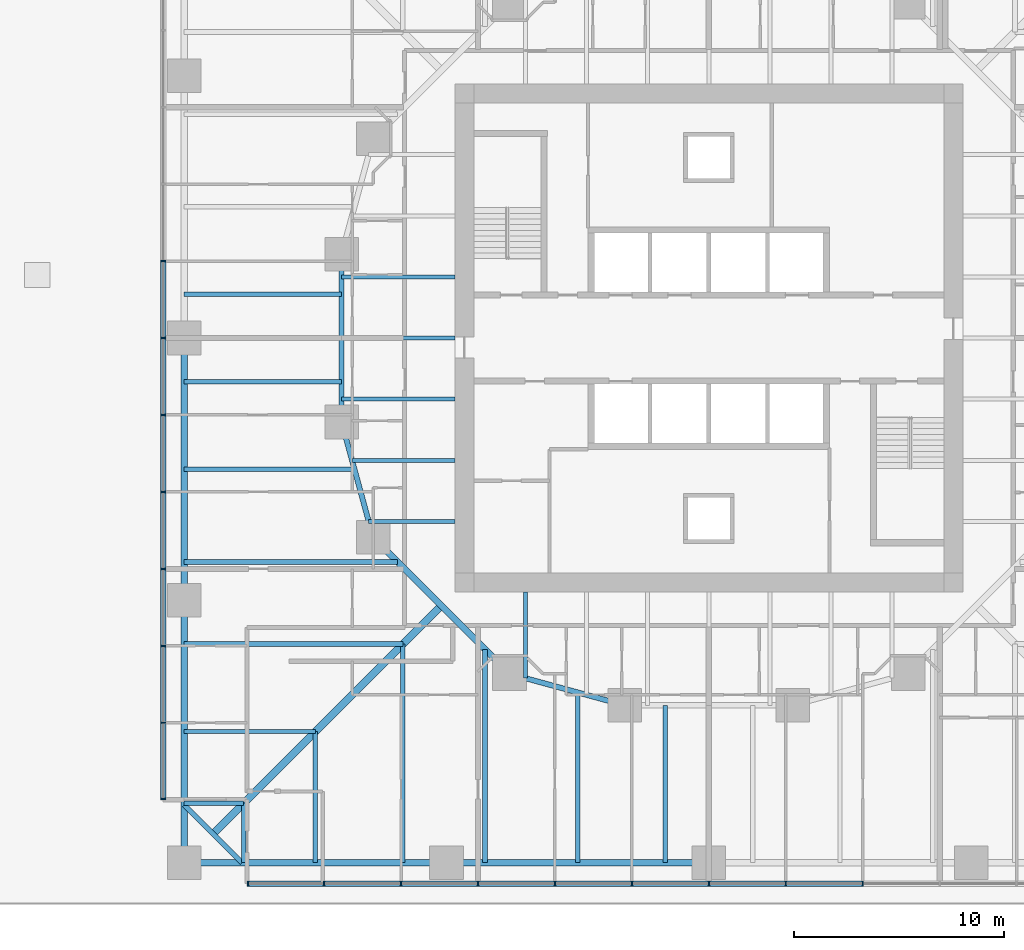
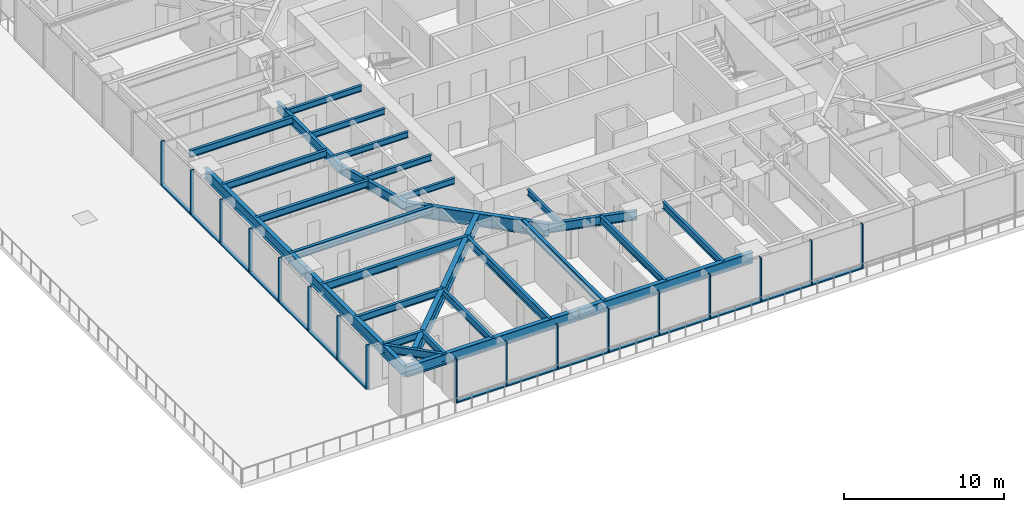
# One storey, part 2 of 15: 32 members, 29 beams, 2 elements without a shape of their own.
"""IFC4 building model written with IfcOpenShell, lengths in metres."""

from ifc_helpers import new_model, si_unit, direction, frame, origin, origin_2d, place, context, subcontext, project, spatial, rectangle, i_section, extrude, material, material_profile, profile_set, type_object, element, aggregate, save


model = new_model("IFC4")

# Units and contexts
model_context = context("Model", 3, precision=1e-05, world=origin(), true_north=direction((0.0, 1.0)))
body_context = subcontext(model_context, "Body", "Model", "MODEL_VIEW")
ifc_project = project(units=[si_unit("LENGTHUNIT", "METRE"), si_unit("AREAUNIT", "SQUARE_METRE"), si_unit("VOLUMEUNIT", "CUBIC_METRE"), si_unit("PLANEANGLEUNIT", "RADIAN"), si_unit("MASSUNIT", "GRAM", prefix="KILO")], contexts=[model_context])

# Site, building, storey
site_placement = place(None, origin())
site = spatial("IfcSite", under=ifc_project, at=site_placement, CompositionType="ELEMENT")
building_placement = place(site_placement, origin())
building = spatial("IfcBuilding", under=site, at=building_placement, Name="Torsade Residences", CompositionType="ELEMENT")
storey_placement = place(building_placement, frame((0.0, 0.0, 15.0)))
storey = spatial("IfcBuildingStorey", under=building, at=storey_placement, Name="L03", CompositionType="ELEMENT", Elevation=15.0)

# Beams
ifc_material_1 = material(Name="Steel grade 300", Category="steel")
ifc_material_profile_1 = material_profile(ifc_material_1, i_section(OverallWidth=0.35009765625, OverallDepth=0.909912109375, WebThickness=0.011962890625, FlangeThickness=0.02490234375, at=origin_2d()), Name="900WB218")
ifc_profile_set_1 = profile_set([ifc_material_profile_1], Name="Steel grade 300")
beam_type_1 = type_object("IfcBeamType", Name="CORNER GIRDER 900WB218", PredefinedType="BEAM", material=ifc_profile_set_1)
beam_1_placement = place(storey_placement, frame((16.375, 6.375, 2.794921875), z_axis=(0.707106781187, 0.707106781187, 0.0), x_axis=(-0.707106781187, 0.707106781187, 0.0)))
element("IfcBeam", 1, at=beam_1_placement, inside=storey, type_object=beam_type_1, Name="Corner girder 01 L04", PredefinedType="BEAM", context=body_context, shape_type="SweptSolid", body=[
    extrude(i_section(OverallWidth=0.35009765625, OverallDepth=0.909912109375, WebThickness=0.011962890625, FlangeThickness=0.02490234375, at=origin_2d()), origin(), (0.0, 0.0, 1.0), 15.379638671875),
])
ifc_material_2 = material(Name="Steel grade 300", Category="steel")
ifc_material_profile_2 = material_profile(ifc_material_2, i_section(OverallWidth=0.22802734375, OverallDepth=0.60205078125, WebThickness=0.010498046875, FlangeThickness=0.014892578125, FilletRadius=0.013916015625, at=origin_2d()), Name="610UB101")
ifc_profile_set_2 = profile_set([ifc_material_profile_2], Name="Steel grade 300")
beam_type_2 = type_object("IfcBeamType", Name="CORNER TRIMMER 610UB101", PredefinedType="BEAM", material=ifc_profile_set_2)
beam_2_placement = place(storey_placement, frame((17.75, 5.0, 2.948974609375), z_axis=(-0.707106781187, 0.707106781187, 0.0), x_axis=(-0.707106781187, -0.707106781187, 0.0)))
element("IfcBeam", 2, at=beam_2_placement, inside=storey, type_object=beam_type_2, Name="Corner trimmer 01 L04", PredefinedType="BEAM", context=body_context, shape_type="SweptSolid", body=[
    extrude(i_section(OverallWidth=0.22802734375, OverallDepth=0.60205078125, WebThickness=0.010498046875, FlangeThickness=0.014892578125, FilletRadius=0.013916015625, at=origin_2d()), origin(), (0.0, 0.0, 1.0), 3.88916015625),
])

# Curtain wall, members
ifc_material_3 = material(Name="Aluminium and glass", Category="aluminium")
curtain_wall_type = type_object("IfcCurtainWallType", Name="FRITTED GLASS CURTAIN WALL LOW ZONE", PredefinedType="NOTDEFINED", material=ifc_material_3)
curtain_wall_1_placement = place(storey_placement, origin())
curtain_wall_1 = element("IfcCurtainWall", 3, at=curtain_wall_1_placement, inside=storey, type_object=curtain_wall_type, Name="Curtain wall L03 face 1", PredefinedType="NOTDEFINED")
ifc_material_4 = material(Name="Aluminium mullion", Category="aluminium")
ifc_material_profile_3 = material_profile(ifc_material_4, rectangle(XDim=0.25, YDim=0.06494140625, at=origin_2d()), Name="CURTAIN WALL MULLION 250x65")
ifc_profile_set_3 = profile_set([ifc_material_profile_3], Name="Aluminium mullion")
member_type_1 = type_object("IfcMemberType", Name="CURTAIN WALL MULLION 250x65", PredefinedType="MULLION", material=ifc_profile_set_3)
member_1_placement = place(storey_placement, frame((18.032470703125, 4.0, 0.0), z_axis=(0.0, 0.0, 1.0), x_axis=(0.0, 1.0, 0.0)))
member_1 = element("IfcMember", 4, at=member_1_placement, type_object=member_type_1, Name="Mullion 1", PredefinedType="MULLION", context=body_context, shape_type="SweptSolid", body=[
    extrude(rectangle(XDim=0.25, YDim=0.06494140625, at=origin_2d()), origin(), (0.0, 0.0, 1.0), 3.39990234375),
])
member_2_placement = place(storey_placement, frame((21.666748046875, 4.0, 0.0), z_axis=(0.0, 0.0, 1.0), x_axis=(0.0, 1.0, 0.0)))
member_2 = element("IfcMember", 5, at=member_2_placement, type_object=member_type_1, Name="Mullion 2", PredefinedType="MULLION", context=body_context, shape_type="SweptSolid", body=[
    extrude(rectangle(XDim=0.25, YDim=0.06494140625, at=origin_2d()), origin(), (0.0, 0.0, 1.0), 3.39990234375),
])
member_3_placement = place(storey_placement, frame((25.333251953125, 4.0, 0.0), z_axis=(0.0, 0.0, 1.0), x_axis=(0.0, 1.0, 0.0)))
member_3 = element("IfcMember", 6, at=member_3_placement, type_object=member_type_1, Name="Mullion 3", PredefinedType="MULLION", context=body_context, shape_type="SweptSolid", body=[
    extrude(rectangle(XDim=0.25, YDim=0.06494140625, at=origin_2d()), origin(), (0.0, 0.0, 1.0), 3.39990234375),
])
member_4_placement = place(storey_placement, frame((29.0, 4.0, 0.0), z_axis=(0.0, 0.0, 1.0), x_axis=(0.0, 1.0, 0.0)))
member_4 = element("IfcMember", 7, at=member_4_placement, type_object=member_type_1, Name="Mullion 4", PredefinedType="MULLION", context=body_context, shape_type="SweptSolid", body=[
    extrude(rectangle(XDim=0.25, YDim=0.06494140625, at=origin_2d()), origin(), (0.0, 0.0, 1.0), 3.39990234375),
])
member_5_placement = place(storey_placement, frame((32.666748046875, 4.0, 0.0), z_axis=(0.0, 0.0, 1.0), x_axis=(0.0, 1.0, 0.0)))
member_5 = element("IfcMember", 8, at=member_5_placement, type_object=member_type_1, Name="Mullion 5", PredefinedType="MULLION", context=body_context, shape_type="SweptSolid", body=[
    extrude(rectangle(XDim=0.25, YDim=0.06494140625, at=origin_2d()), origin(), (0.0, 0.0, 1.0), 3.39990234375),
])
member_6_placement = place(storey_placement, frame((36.333251953125, 4.0, 0.0), z_axis=(0.0, 0.0, 1.0), x_axis=(0.0, 1.0, 0.0)))
member_6 = element("IfcMember", 9, at=member_6_placement, type_object=member_type_1, Name="Mullion 6", PredefinedType="MULLION", context=body_context, shape_type="SweptSolid", body=[
    extrude(rectangle(XDim=0.25, YDim=0.06494140625, at=origin_2d()), origin(), (0.0, 0.0, 1.0), 3.39990234375),
])
member_7_placement = place(storey_placement, frame((40.0, 4.0, 0.0), z_axis=(0.0, 0.0, 1.0), x_axis=(0.0, 1.0, 0.0)))
member_7 = element("IfcMember", 10, at=member_7_placement, type_object=member_type_1, Name="Mullion 7", PredefinedType="MULLION", context=body_context, shape_type="SweptSolid", body=[
    extrude(rectangle(XDim=0.25, YDim=0.06494140625, at=origin_2d()), origin(), (0.0, 0.0, 1.0), 3.39990234375),
])
member_8_placement = place(storey_placement, frame((43.666748046875, 4.0, 0.0), z_axis=(0.0, 0.0, 1.0), x_axis=(0.0, 1.0, 0.0)))
member_8 = element("IfcMember", 11, at=member_8_placement, type_object=member_type_1, Name="Mullion 8", PredefinedType="MULLION", context=body_context, shape_type="SweptSolid", body=[
    extrude(rectangle(XDim=0.25, YDim=0.06494140625, at=origin_2d()), origin(), (0.0, 0.0, 1.0), 3.39990234375),
])
member_9_placement = place(storey_placement, frame((47.333251953125, 4.0, 0.0), z_axis=(0.0, 0.0, 1.0), x_axis=(0.0, 1.0, 0.0)))
member_9 = element("IfcMember", 12, at=member_9_placement, type_object=member_type_1, Name="Mullion 9", PredefinedType="MULLION", context=body_context, shape_type="SweptSolid", body=[
    extrude(rectangle(XDim=0.25, YDim=0.06494140625, at=origin_2d()), origin(), (0.0, 0.0, 1.0), 3.39990234375),
])

curtain_wall_2_placement = place(storey_placement, origin())
curtain_wall_2 = element("IfcCurtainWall", 13, at=curtain_wall_2_placement, inside=storey, type_object=curtain_wall_type, Name="Curtain wall L03 face 10", PredefinedType="NOTDEFINED")
member_10_placement = place(storey_placement, frame((14.0, 33.666748046875, 0.0), z_axis=(0.0, 0.0, 1.0), x_axis=(1.0, 0.0, 0.0)))
member_10 = element("IfcMember", 14, at=member_10_placement, type_object=member_type_1, Name="Mullion 6", PredefinedType="MULLION", context=body_context, shape_type="SweptSolid", body=[
    extrude(rectangle(XDim=0.25, YDim=0.06494140625, at=origin_2d()), origin(), (0.0, 0.0, 1.0), 3.39990234375),
])
member_11_placement = place(storey_placement, frame((14.0, 30.0, 0.0), z_axis=(0.0, 0.0, 1.0), x_axis=(1.0, 0.0, 0.0)))
member_11 = element("IfcMember", 15, at=member_11_placement, type_object=member_type_1, Name="Mullion 7", PredefinedType="MULLION", context=body_context, shape_type="SweptSolid", body=[
    extrude(rectangle(XDim=0.25, YDim=0.06494140625, at=origin_2d()), origin(), (0.0, 0.0, 1.0), 3.39990234375),
])
member_12_placement = place(storey_placement, frame((14.0, 26.333251953125, 0.0), z_axis=(0.0, 0.0, 1.0), x_axis=(1.0, 0.0, 0.0)))
member_12 = element("IfcMember", 16, at=member_12_placement, type_object=member_type_1, Name="Mullion 8", PredefinedType="MULLION", context=body_context, shape_type="SweptSolid", body=[
    extrude(rectangle(XDim=0.25, YDim=0.06494140625, at=origin_2d()), origin(), (0.0, 0.0, 1.0), 3.39990234375),
])
member_13_placement = place(storey_placement, frame((14.0, 22.666748046875, 0.0), z_axis=(0.0, 0.0, 1.0), x_axis=(1.0, 0.0, 0.0)))
member_13 = element("IfcMember", 17, at=member_13_placement, type_object=member_type_1, Name="Mullion 9", PredefinedType="MULLION", context=body_context, shape_type="SweptSolid", body=[
    extrude(rectangle(XDim=0.25, YDim=0.06494140625, at=origin_2d()), origin(), (0.0, 0.0, 1.0), 3.39990234375),
])
member_14_placement = place(storey_placement, frame((14.0, 19.0, 0.0), z_axis=(0.0, 0.0, 1.0), x_axis=(1.0, 0.0, 0.0)))
member_14 = element("IfcMember", 18, at=member_14_placement, type_object=member_type_1, Name="Mullion 10", PredefinedType="MULLION", context=body_context, shape_type="SweptSolid", body=[
    extrude(rectangle(XDim=0.25, YDim=0.06494140625, at=origin_2d()), origin(), (0.0, 0.0, 1.0), 3.39990234375),
])
member_15_placement = place(storey_placement, frame((14.0, 15.333251953125, 0.0), z_axis=(0.0, 0.0, 1.0), x_axis=(1.0, 0.0, 0.0)))
member_15 = element("IfcMember", 19, at=member_15_placement, type_object=member_type_1, Name="Mullion 11", PredefinedType="MULLION", context=body_context, shape_type="SweptSolid", body=[
    extrude(rectangle(XDim=0.25, YDim=0.06494140625, at=origin_2d()), origin(), (0.0, 0.0, 1.0), 3.39990234375),
])
member_16_placement = place(storey_placement, frame((14.0, 11.666748046875, 0.0), z_axis=(0.0, 0.0, 1.0), x_axis=(1.0, 0.0, 0.0)))
member_16 = element("IfcMember", 20, at=member_16_placement, type_object=member_type_1, Name="Mullion 12", PredefinedType="MULLION", context=body_context, shape_type="SweptSolid", body=[
    extrude(rectangle(XDim=0.25, YDim=0.06494140625, at=origin_2d()), origin(), (0.0, 0.0, 1.0), 3.39990234375),
])
member_17_placement = place(storey_placement, frame((14.0, 8.032470703125, 0.0), z_axis=(0.0, 0.0, 1.0), x_axis=(1.0, 0.0, 0.0)))
member_17 = element("IfcMember", 21, at=member_17_placement, type_object=member_type_1, Name="Mullion 13", PredefinedType="MULLION", context=body_context, shape_type="SweptSolid", body=[
    extrude(rectangle(XDim=0.25, YDim=0.06494140625, at=origin_2d()), origin(), (0.0, 0.0, 1.0), 3.39990234375),
])

# Member
ifc_material_5 = material(Name="Aluminium transom", Category="aluminium")
ifc_material_profile_4 = material_profile(ifc_material_5, rectangle(XDim=0.25, YDim=0.10009765625, at=origin_2d()), Name="CURTAIN WALL TRANSOM 250x100")
ifc_profile_set_4 = profile_set([ifc_material_profile_4], Name="Aluminium transom")
member_type_2 = type_object("IfcMemberType", Name="CURTAIN WALL TRANSOM 250x100", PredefinedType="USERDEFINED", material=ifc_profile_set_4)
member_18_placement = place(storey_placement, frame((18.06494140625, 4.0, 0.050048828125), z_axis=(1.0, 0.0, 0.0), x_axis=(0.0, 1.0, 0.0)))
member_18 = element("IfcMember", 22, at=member_18_placement, type_object=member_type_2, Name="Transom 1.1", ObjectType="TRANSOM", PredefinedType="USERDEFINED", context=body_context, shape_type="SweptSolid", body=[
    extrude(rectangle(XDim=0.25, YDim=0.10009765625, at=origin_2d()), origin(), (0.0, 0.0, 1.0), 3.5693359375),
])

member_19_placement = place(storey_placement, frame((21.69921875, 4.0, 0.050048828125), z_axis=(1.0, 0.0, 0.0), x_axis=(0.0, 1.0, 0.0)))
member_19 = element("IfcMember", 23, at=member_19_placement, type_object=member_type_2, Name="Transom 2.1", ObjectType="TRANSOM", PredefinedType="USERDEFINED", context=body_context, shape_type="SweptSolid", body=[
    extrude(rectangle(XDim=0.25, YDim=0.10009765625, at=origin_2d()), origin(), (0.0, 0.0, 1.0), 3.6015625),
])

member_20_placement = place(storey_placement, frame((25.36572265625, 4.0, 0.050048828125), z_axis=(1.0, 0.0, 0.0), x_axis=(0.0, 1.0, 0.0)))
member_20 = element("IfcMember", 24, at=member_20_placement, type_object=member_type_2, Name="Transom 3.1", ObjectType="TRANSOM", PredefinedType="USERDEFINED", context=body_context, shape_type="SweptSolid", body=[
    extrude(rectangle(XDim=0.25, YDim=0.10009765625, at=origin_2d()), origin(), (0.0, 0.0, 1.0), 3.601806640625),
])

member_21_placement = place(storey_placement, frame((29.032470703125, 4.0, 0.050048828125), z_axis=(1.0, 0.0, 0.0), x_axis=(0.0, 1.0, 0.0)))
member_21 = element("IfcMember", 25, at=member_21_placement, type_object=member_type_2, Name="Transom 4.1", ObjectType="TRANSOM", PredefinedType="USERDEFINED", context=body_context, shape_type="SweptSolid", body=[
    extrude(rectangle(XDim=0.25, YDim=0.10009765625, at=origin_2d()), origin(), (0.0, 0.0, 1.0), 3.601806640625),
])

member_22_placement = place(storey_placement, frame((32.69921875, 4.0, 0.050048828125), z_axis=(1.0, 0.0, 0.0), x_axis=(0.0, 1.0, 0.0)))
member_22 = element("IfcMember", 26, at=member_22_placement, type_object=member_type_2, Name="Transom 5.1", ObjectType="TRANSOM", PredefinedType="USERDEFINED", context=body_context, shape_type="SweptSolid", body=[
    extrude(rectangle(XDim=0.25, YDim=0.10009765625, at=origin_2d()), origin(), (0.0, 0.0, 1.0), 3.6015625),
])

member_23_placement = place(storey_placement, frame((36.36572265625, 4.0, 0.050048828125), z_axis=(1.0, 0.0, 0.0), x_axis=(0.0, 1.0, 0.0)))
member_23 = element("IfcMember", 27, at=member_23_placement, type_object=member_type_2, Name="Transom 6.1", ObjectType="TRANSOM", PredefinedType="USERDEFINED", context=body_context, shape_type="SweptSolid", body=[
    extrude(rectangle(XDim=0.25, YDim=0.10009765625, at=origin_2d()), origin(), (0.0, 0.0, 1.0), 3.601806640625),
])

member_24_placement = place(storey_placement, frame((40.032470703125, 4.0, 0.050048828125), z_axis=(1.0, 0.0, 0.0), x_axis=(0.0, 1.0, 0.0)))
member_24 = element("IfcMember", 28, at=member_24_placement, type_object=member_type_2, Name="Transom 7.1", ObjectType="TRANSOM", PredefinedType="USERDEFINED", context=body_context, shape_type="SweptSolid", body=[
    extrude(rectangle(XDim=0.25, YDim=0.10009765625, at=origin_2d()), origin(), (0.0, 0.0, 1.0), 3.601806640625),
])

member_25_placement = place(storey_placement, frame((43.69921875, 4.0, 0.050048828125), z_axis=(1.0, 0.0, 0.0), x_axis=(0.0, 1.0, 0.0)))
member_25 = element("IfcMember", 29, at=member_25_placement, type_object=member_type_2, Name="Transom 8.1", ObjectType="TRANSOM", PredefinedType="USERDEFINED", context=body_context, shape_type="SweptSolid", body=[
    extrude(rectangle(XDim=0.25, YDim=0.10009765625, at=origin_2d()), origin(), (0.0, 0.0, 1.0), 3.6015625),
])

aggregate(curtain_wall_1, [member_1, member_2, member_3, member_4, member_5, member_6, member_7, member_8, member_9, member_18, member_19, member_20, member_21, member_22, member_23, member_24, member_25])

member_26_placement = place(storey_placement, frame((14.0, 33.63427734375, 0.050048828125), z_axis=(0.0, -1.0, 0.0), x_axis=(1.0, 0.0, 0.0)))
member_26 = element("IfcMember", 30, at=member_26_placement, type_object=member_type_2, Name="Transom 6.1", ObjectType="TRANSOM", PredefinedType="USERDEFINED", context=body_context, shape_type="SweptSolid", body=[
    extrude(rectangle(XDim=0.25, YDim=0.10009765625, at=origin_2d()), origin(), (0.0, 0.0, 1.0), 3.601806640625),
])

member_27_placement = place(storey_placement, frame((14.0, 29.967529296875, 0.050048828125), z_axis=(0.0, -1.0, 0.0), x_axis=(1.0, 0.0, 0.0)))
member_27 = element("IfcMember", 31, at=member_27_placement, type_object=member_type_2, Name="Transom 7.1", ObjectType="TRANSOM", PredefinedType="USERDEFINED", context=body_context, shape_type="SweptSolid", body=[
    extrude(rectangle(XDim=0.25, YDim=0.10009765625, at=origin_2d()), origin(), (0.0, 0.0, 1.0), 3.601806640625),
])

member_28_placement = place(storey_placement, frame((14.0, 26.30078125, 0.050048828125), z_axis=(0.0, -1.0, 0.0), x_axis=(1.0, 0.0, 0.0)))
member_28 = element("IfcMember", 32, at=member_28_placement, type_object=member_type_2, Name="Transom 8.1", ObjectType="TRANSOM", PredefinedType="USERDEFINED", context=body_context, shape_type="SweptSolid", body=[
    extrude(rectangle(XDim=0.25, YDim=0.10009765625, at=origin_2d()), origin(), (0.0, 0.0, 1.0), 3.6015625),
])

member_29_placement = place(storey_placement, frame((14.0, 22.63427734375, 0.050048828125), z_axis=(0.0, -1.0, 0.0), x_axis=(1.0, 0.0, 0.0)))
member_29 = element("IfcMember", 33, at=member_29_placement, type_object=member_type_2, Name="Transom 9.1", ObjectType="TRANSOM", PredefinedType="USERDEFINED", context=body_context, shape_type="SweptSolid", body=[
    extrude(rectangle(XDim=0.25, YDim=0.10009765625, at=origin_2d()), origin(), (0.0, 0.0, 1.0), 3.601806640625),
])

member_30_placement = place(storey_placement, frame((14.0, 18.967529296875, 0.050048828125), z_axis=(0.0, -1.0, 0.0), x_axis=(1.0, 0.0, 0.0)))
member_30 = element("IfcMember", 34, at=member_30_placement, type_object=member_type_2, Name="Transom 10.1", ObjectType="TRANSOM", PredefinedType="USERDEFINED", context=body_context, shape_type="SweptSolid", body=[
    extrude(rectangle(XDim=0.25, YDim=0.10009765625, at=origin_2d()), origin(), (0.0, 0.0, 1.0), 3.601806640625),
])

member_31_placement = place(storey_placement, frame((14.0, 15.30078125, 0.050048828125), z_axis=(0.0, -1.0, 0.0), x_axis=(1.0, 0.0, 0.0)))
member_31 = element("IfcMember", 35, at=member_31_placement, type_object=member_type_2, Name="Transom 11.1", ObjectType="TRANSOM", PredefinedType="USERDEFINED", context=body_context, shape_type="SweptSolid", body=[
    extrude(rectangle(XDim=0.25, YDim=0.10009765625, at=origin_2d()), origin(), (0.0, 0.0, 1.0), 3.6015625),
])

member_32_placement = place(storey_placement, frame((14.0, 11.63427734375, 0.050048828125), z_axis=(0.0, -1.0, 0.0), x_axis=(1.0, 0.0, 0.0)))
member_32 = element("IfcMember", 36, at=member_32_placement, type_object=member_type_2, Name="Transom 12.1", ObjectType="TRANSOM", PredefinedType="USERDEFINED", context=body_context, shape_type="SweptSolid", body=[
    extrude(rectangle(XDim=0.25, YDim=0.10009765625, at=origin_2d()), origin(), (0.0, 0.0, 1.0), 3.5693359375),
])

aggregate(curtain_wall_2, [member_10, member_11, member_12, member_13, member_14, member_15, member_16, member_17, member_26, member_27, member_28, member_29, member_30, member_31, member_32])

# Beams
ifc_material_6 = material(Name="Steel grade 300", Category="steel")
ifc_material_profile_5 = material_profile(ifc_material_6, i_section(OverallWidth=0.300048828125, OverallDepth=0.81591796875, WebThickness=0.010009765625, FlangeThickness=0.028076171875, at=origin_2d()), Name="800WB192")
ifc_profile_set_5 = profile_set([ifc_material_profile_5], Name="Steel grade 300")
beam_type_3 = type_object("IfcBeamType", Name="EDGE BEAM 800WB192", PredefinedType="SPANDREL", material=ifc_profile_set_5)
for number, where, z_axis, x_axis, name in (
    (37, (15.0, 5.0, 2.842041015625), (1.0, 0.0, 0.0), (0.0, 1.0, 0.0), "Edge beam 01 L04"),
    (38, (27.5, 5.0, 2.842041015625), (1.0, 0.0, 0.0), (0.0, 1.0, 0.0), "Edge beam 02 L04"),
    (39, (15.0, 30.0, 2.842041015625), (0.0, -1.0, 0.0), (1.0, 0.0, 0.0), "Edge beam 15 L04"),
    (40, (15.0, 17.5, 2.842041015625), (0.0, -1.0, 0.0), (1.0, 0.0, 0.0), "Edge beam 16 L04"),
):
    element("IfcBeam", number, at=place(storey_placement, frame(where, z_axis=z_axis, x_axis=x_axis)), inside=storey, type_object=beam_type_3, Name=name, PredefinedType="SPANDREL", context=body_context, shape_type="SweptSolid", body=[
        extrude(i_section(OverallWidth=0.300048828125, OverallDepth=0.81591796875, WebThickness=0.010009765625, FlangeThickness=0.028076171875, at=origin_2d()), origin(), (0.0, 0.0, 1.0), 12.5),
    ])
ifc_material_7 = material(Name="Steel grade 300", Category="steel")
ifc_material_profile_6 = material_profile(ifc_material_7, i_section(OverallWidth=0.18994140625, OverallDepth=0.4541015625, WebThickness=0.008544921875, FlangeThickness=0.0126953125, FilletRadius=0.011474609375, at=origin_2d()), Name="460UB67.1")
ifc_profile_set_6 = profile_set([ifc_material_profile_6], Name="Steel grade 300")
beam_type_4 = type_object("IfcBeamType", Name="INNER FLOOR BEAM 460UB67.1", PredefinedType="JOIST", material=ifc_profile_set_6)
beam_3_placement = place(storey_placement, frame((31.262451171875, 17.89990234375, 3.02294921875), z_axis=(0.0, -1.0, 0.0), x_axis=(1.0, 0.0, 0.0)))
element("IfcBeam", 41, at=beam_3_placement, inside=storey, type_object=beam_type_4, Name="Inner floor beam IS07 L04", PredefinedType="JOIST", context=body_context, shape_type="SweptSolid", body=[
    extrude(i_section(OverallWidth=0.18994140625, OverallDepth=0.4541015625, WebThickness=0.008544921875, FlangeThickness=0.0126953125, FilletRadius=0.011474609375, at=origin_2d()), origin(), (0.0, 0.0, 1.0), 4.10791015625),
])
for number, where, z_axis, x_axis, name in (
    (42, (27.89990234375, 32.91259765625, 3.02294921875), (-1.0, 0.0, 0.0), (0.0, -1.0, 0.0), "Inner floor beam IW03 L04"),
    (43, (27.89990234375, 30.0, 3.02294921875), (-1.0, 0.0, 0.0), (0.0, -1.0, 0.0), "Inner floor beam IW04 L04"),
    (44, (27.89990234375, 27.08740234375, 3.02294921875), (-1.0, 0.0, 0.0), (0.0, -1.0, 0.0), "Inner floor beam IW05 L04"),
):
    element("IfcBeam", number, at=place(storey_placement, frame(where, z_axis=z_axis, x_axis=x_axis)), inside=storey, type_object=beam_type_4, Name=name, PredefinedType="JOIST", context=body_context, shape_type="SweptSolid", body=[
        extrude(i_section(OverallWidth=0.18994140625, OverallDepth=0.4541015625, WebThickness=0.008544921875, FlangeThickness=0.0126953125, FilletRadius=0.011474609375, at=origin_2d()), origin(), (0.0, 0.0, 1.0), 5.39990234375),
    ])
beam_4_placement = place(storey_placement, frame((27.89990234375, 24.175048828125, 3.02294921875), z_axis=(-1.0, 0.0, 0.0), x_axis=(0.0, -1.0, 0.0)))
element("IfcBeam", 45, at=beam_4_placement, inside=storey, type_object=beam_type_4, Name="Inner floor beam IW06 L04", PredefinedType="JOIST", context=body_context, shape_type="SweptSolid", body=[
    extrude(i_section(OverallWidth=0.18994140625, OverallDepth=0.4541015625, WebThickness=0.008544921875, FlangeThickness=0.0126953125, FilletRadius=0.011474609375, at=origin_2d()), origin(), (0.0, 0.0, 1.0), 4.902099609375),
])
beam_5_placement = place(storey_placement, frame((27.89990234375, 21.262451171875, 3.02294921875), z_axis=(-1.0, 0.0, 0.0), x_axis=(0.0, -1.0, 0.0)))
element("IfcBeam", 46, at=beam_5_placement, inside=storey, type_object=beam_type_4, Name="Inner floor beam IW07 L04", PredefinedType="JOIST", context=body_context, shape_type="SweptSolid", body=[
    extrude(i_section(OverallWidth=0.18994140625, OverallDepth=0.4541015625, WebThickness=0.008544921875, FlangeThickness=0.0126953125, FilletRadius=0.011474609375, at=origin_2d()), origin(), (0.0, 0.0, 1.0), 4.10791015625),
])
ifc_material_8 = material(Name="Steel grade 300", Category="steel")
ifc_material_profile_7 = material_profile(ifc_material_8, i_section(OverallWidth=0.300048828125, OverallDepth=1.0, WebThickness=0.01611328125, FlangeThickness=0.028076171875, at=origin_2d()), Name="1000WB215")
ifc_profile_set_7 = profile_set([ifc_material_profile_7], Name="Steel grade 300")
beam_type_5 = type_object("IfcBeamType", Name="RING CORNER GIRDER 1000WB215", PredefinedType="BEAM", material=ifc_profile_set_7)
beam_6_placement = place(storey_placement, frame((24.0, 20.5, 2.75), z_axis=(0.707106781187, -0.707106781187, 0.0), x_axis=(0.707106781187, 0.707106781187, 0.0)))
element("IfcBeam", 47, at=beam_6_placement, inside=storey, type_object=beam_type_5, Name="Ring girder IR11 L04", PredefinedType="BEAM", context=body_context, shape_type="SweptSolid", body=[
    extrude(i_section(OverallWidth=0.300048828125, OverallDepth=1.0, WebThickness=0.01611328125, FlangeThickness=0.028076171875, at=origin_2d()), origin(), (0.0, 0.0, 1.0), 9.1923828125),
])
ifc_material_9 = material(Name="Steel grade 300", Category="steel")
ifc_material_profile_8 = material_profile(ifc_material_9, i_section(OverallWidth=0.25, OverallDepth=0.699951171875, WebThickness=0.010009765625, FlangeThickness=0.02001953125, at=origin_2d()), Name="700WB130")
ifc_profile_set_8 = profile_set([ifc_material_profile_8], Name="Steel grade 300")
beam_type_6 = type_object("IfcBeamType", Name="RING GIRDER 700WB130", PredefinedType="BEAM", material=ifc_profile_set_8)
beam_7_placement = place(storey_placement, frame((22.5, 34.0, 2.89990234375), z_axis=(0.0, -1.0, 0.0), x_axis=(1.0, 0.0, 0.0)))
element("IfcBeam", 48, at=beam_7_placement, inside=storey, type_object=beam_type_6, Name="Ring girder IR09 L04", PredefinedType="BEAM", context=body_context, shape_type="SweptSolid", body=[
    extrude(i_section(OverallWidth=0.25, OverallDepth=0.699951171875, WebThickness=0.010009765625, FlangeThickness=0.02001953125, at=origin_2d()), origin(), (0.0, 0.0, 1.0), 8.0),
])
for number, where, z_axis, x_axis, name in (
    (49, (22.5, 26.0, 2.89990234375), (0.263117405792, -0.964763821238, 0.0), (0.964763821238, 0.263117405792, 0.0), "Ring girder IR10 L04"),
    (50, (30.5, 14.0, 2.89990234375), (0.964763821238, -0.263117405792, 0.0), (0.263117405792, 0.964763821238, 0.0), "Ring girder IR12 L04"),
):
    element("IfcBeam", number, at=place(storey_placement, frame(where, z_axis=z_axis, x_axis=x_axis)), inside=storey, type_object=beam_type_6, Name=name, PredefinedType="BEAM", context=body_context, shape_type="SweptSolid", body=[
        extrude(i_section(OverallWidth=0.25, OverallDepth=0.699951171875, WebThickness=0.010009765625, FlangeThickness=0.02001953125, at=origin_2d()), origin(), (0.0, 0.0, 1.0), 5.700927734375),
    ])
ifc_material_10 = material(Name="Steel grade 300", Category="steel")
ifc_material_profile_9 = material_profile(ifc_material_10, i_section(OverallWidth=0.208984375, OverallDepth=0.528076171875, WebThickness=0.009521484375, FlangeThickness=0.01318359375, FilletRadius=0.013916015625, at=origin_2d()), Name="530UB82.0")
ifc_profile_set_9 = profile_set([ifc_material_profile_9], Name="Steel grade 300")
beam_type_7 = type_object("IfcBeamType", Name="SECONDARY BEAM 530UB82.0", PredefinedType="JOIST", material=ifc_profile_set_9)
beam_8_placement = place(storey_placement, frame((17.833251953125, 5.0, 2.986083984375), z_axis=(0.0, 1.0, 0.0), x_axis=(-1.0, 0.0, 0.0)))
element("IfcBeam", 51, at=beam_8_placement, inside=storey, type_object=beam_type_7, Name="Floor beam FS01 L04", PredefinedType="JOIST", context=body_context, shape_type="SweptSolid", body=[
    extrude(i_section(OverallWidth=0.208984375, OverallDepth=0.528076171875, WebThickness=0.009521484375, FlangeThickness=0.01318359375, FilletRadius=0.013916015625, at=origin_2d()), origin(), (0.0, 0.0, 1.0), 2.833251953125),
])
beam_9_placement = place(storey_placement, frame((21.25, 5.0, 2.986083984375), z_axis=(0.0, 1.0, 0.0), x_axis=(-1.0, 0.0, 0.0)))
element("IfcBeam", 52, at=beam_9_placement, inside=storey, type_object=beam_type_7, Name="Floor beam FS02 L04", PredefinedType="JOIST", context=body_context, shape_type="SweptSolid", body=[
    extrude(i_section(OverallWidth=0.208984375, OverallDepth=0.528076171875, WebThickness=0.009521484375, FlangeThickness=0.01318359375, FilletRadius=0.013916015625, at=origin_2d()), origin(), (0.0, 0.0, 1.0), 6.25),
])
beam_10_placement = place(storey_placement, frame((33.75, 5.0, 2.986083984375), z_axis=(0.0, 1.0, 0.0), x_axis=(-1.0, 0.0, 0.0)))
element("IfcBeam", 53, at=beam_10_placement, inside=storey, type_object=beam_type_7, Name="Floor beam FS05 L04", PredefinedType="JOIST", context=body_context, shape_type="SweptSolid", body=[
    extrude(i_section(OverallWidth=0.208984375, OverallDepth=0.528076171875, WebThickness=0.009521484375, FlangeThickness=0.01318359375, FilletRadius=0.013916015625, at=origin_2d()), origin(), (0.0, 0.0, 1.0), 8.113525390625),
])
for number, where, z_axis, x_axis, name in (
    (54, (37.916748046875, 5.0, 2.986083984375), (0.0, 1.0, 0.0), (-1.0, 0.0, 0.0), "Floor beam FS06 L04"),
    (55, (15.0, 32.083251953125, 2.986083984375), (1.0, 0.0, 0.0), (0.0, 1.0, 0.0), "Floor beam FW06 L04"),
    (56, (15.0, 27.916748046875, 2.986083984375), (1.0, 0.0, 0.0), (0.0, 1.0, 0.0), "Floor beam FW07 L04"),
):
    element("IfcBeam", number, at=place(storey_placement, frame(where, z_axis=z_axis, x_axis=x_axis)), inside=storey, type_object=beam_type_7, Name=name, PredefinedType="JOIST", context=body_context, shape_type="SweptSolid", body=[
        extrude(i_section(OverallWidth=0.208984375, OverallDepth=0.528076171875, WebThickness=0.009521484375, FlangeThickness=0.01318359375, FilletRadius=0.013916015625, at=origin_2d()), origin(), (0.0, 0.0, 1.0), 7.5),
    ])
beam_11_placement = place(storey_placement, frame((15.0, 23.75, 2.986083984375), z_axis=(1.0, 0.0, 0.0), x_axis=(0.0, 1.0, 0.0)))
element("IfcBeam", 57, at=beam_11_placement, inside=storey, type_object=beam_type_7, Name="Floor beam FW08 L04", PredefinedType="JOIST", context=body_context, shape_type="SweptSolid", body=[
    extrude(i_section(OverallWidth=0.208984375, OverallDepth=0.528076171875, WebThickness=0.009521484375, FlangeThickness=0.01318359375, FilletRadius=0.013916015625, at=origin_2d()), origin(), (0.0, 0.0, 1.0), 8.113525390625),
])
beam_12_placement = place(storey_placement, frame((15.0, 11.25, 2.986083984375), z_axis=(1.0, 0.0, 0.0), x_axis=(0.0, 1.0, 0.0)))
element("IfcBeam", 58, at=beam_12_placement, inside=storey, type_object=beam_type_7, Name="Floor beam FW11 L04", PredefinedType="JOIST", context=body_context, shape_type="SweptSolid", body=[
    extrude(i_section(OverallWidth=0.208984375, OverallDepth=0.528076171875, WebThickness=0.009521484375, FlangeThickness=0.01318359375, FilletRadius=0.013916015625, at=origin_2d()), origin(), (0.0, 0.0, 1.0), 6.25),
])
beam_13_placement = place(storey_placement, frame((15.0, 7.833251953125, 2.986083984375), z_axis=(1.0, 0.0, 0.0), x_axis=(0.0, 1.0, 0.0)))
element("IfcBeam", 59, at=beam_13_placement, inside=storey, type_object=beam_type_7, Name="Floor beam FW12 L04", PredefinedType="JOIST", context=body_context, shape_type="SweptSolid", body=[
    extrude(i_section(OverallWidth=0.208984375, OverallDepth=0.528076171875, WebThickness=0.009521484375, FlangeThickness=0.01318359375, FilletRadius=0.013916015625, at=origin_2d()), origin(), (0.0, 0.0, 1.0), 2.833251953125),
])
ifc_material_11 = material(Name="Steel grade 300", Category="steel")
ifc_material_profile_10 = material_profile(ifc_material_11, i_section(OverallWidth=0.22900390625, OverallDepth=0.612060546875, WebThickness=0.011962890625, FlangeThickness=0.01953125, FilletRadius=0.013916015625, at=origin_2d()), Name="610UB125")
ifc_profile_set_10 = profile_set([ifc_material_profile_10], Name="Steel grade 300")
beam_type_8 = type_object("IfcBeamType", Name="SECONDARY BEAM 610UB125", PredefinedType="JOIST", material=ifc_profile_set_10)
beam_14_placement = place(storey_placement, frame((25.416748046875, 5.0, 2.944091796875), z_axis=(0.0, 1.0, 0.0), x_axis=(-1.0, 0.0, 0.0)))
element("IfcBeam", 60, at=beam_14_placement, inside=storey, type_object=beam_type_8, Name="Floor beam FS03 L04", PredefinedType="JOIST", context=body_context, shape_type="SweptSolid", body=[
    extrude(i_section(OverallWidth=0.22900390625, OverallDepth=0.612060546875, WebThickness=0.011962890625, FlangeThickness=0.01953125, FilletRadius=0.013916015625, at=origin_2d()), origin(), (0.0, 0.0, 1.0), 10.416748046875),
])
for number, where, z_axis, x_axis, name in (
    (61, (29.333251953125, 5.0, 2.944091796875), (0.0, 1.0, 0.0), (-1.0, 0.0, 0.0), "Floor beam FS04 L04"),
    (62, (15.0, 19.333251953125, 2.944091796875), (1.0, 0.0, 0.0), (0.0, 1.0, 0.0), "Floor beam FW09 L04"),
):
    element("IfcBeam", number, at=place(storey_placement, frame(where, z_axis=z_axis, x_axis=x_axis)), inside=storey, type_object=beam_type_8, Name=name, PredefinedType="JOIST", context=body_context, shape_type="SweptSolid", body=[
        extrude(i_section(OverallWidth=0.22900390625, OverallDepth=0.612060546875, WebThickness=0.011962890625, FlangeThickness=0.01953125, FilletRadius=0.013916015625, at=origin_2d()), origin(), (0.0, 0.0, 1.0), 10.166748046875),
    ])
beam_15_placement = place(storey_placement, frame((15.0, 15.416748046875, 2.944091796875), z_axis=(1.0, 0.0, 0.0), x_axis=(0.0, 1.0, 0.0)))
element("IfcBeam", 63, at=beam_15_placement, inside=storey, type_object=beam_type_8, Name="Floor beam FW10 L04", PredefinedType="JOIST", context=body_context, shape_type="SweptSolid", body=[
    extrude(i_section(OverallWidth=0.22900390625, OverallDepth=0.612060546875, WebThickness=0.011962890625, FlangeThickness=0.01953125, FilletRadius=0.013916015625, at=origin_2d()), origin(), (0.0, 0.0, 1.0), 10.416748046875),
])

save(model, "model.ifc")
